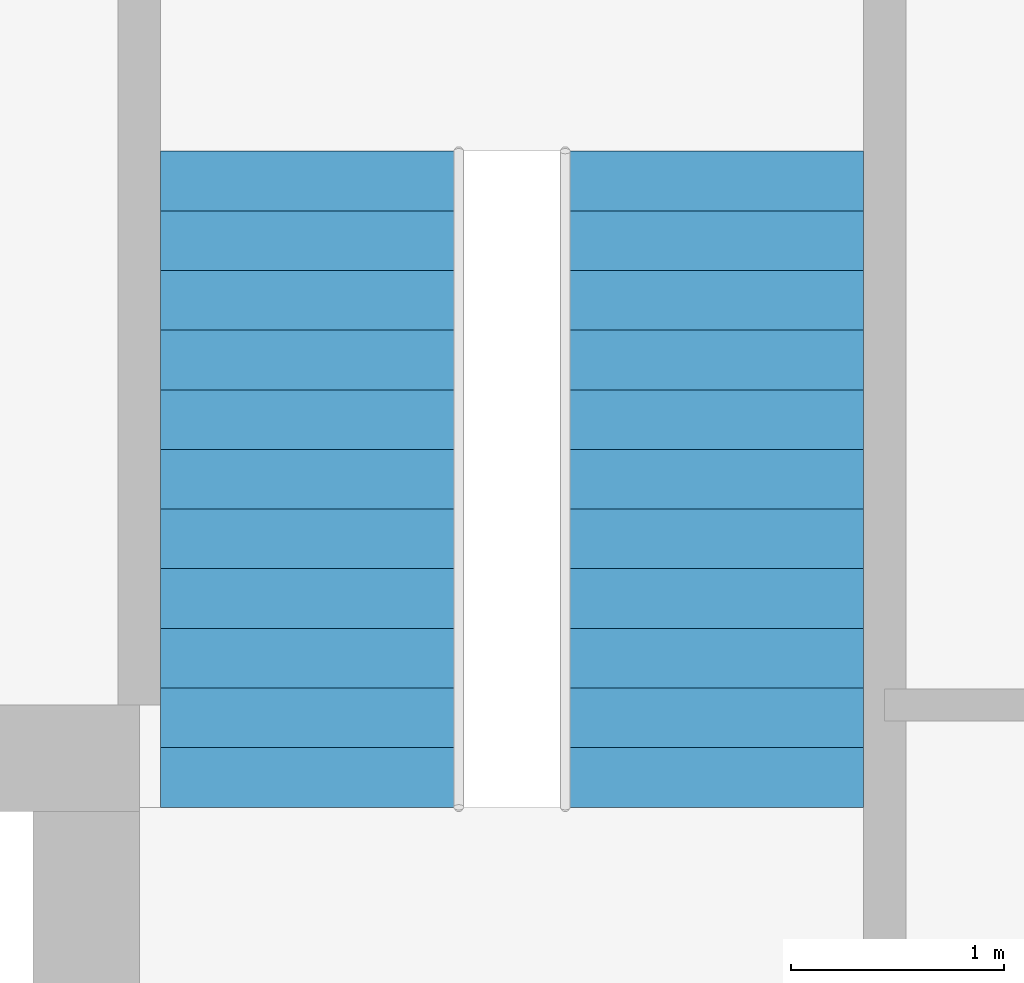
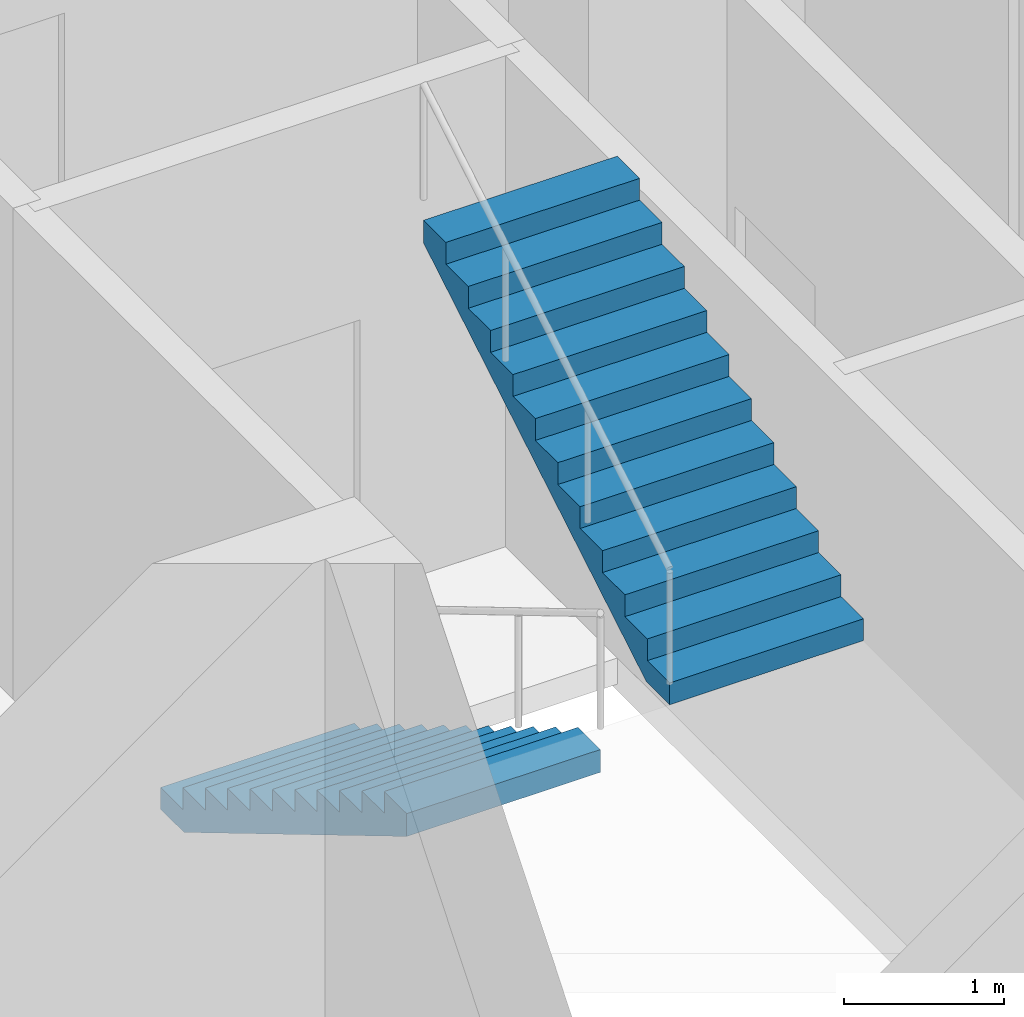
# One storey, part 13 of 18: 2 stair flights, 1 element without a shape of its own.
"""IFC4 building model written with IfcOpenShell, lengths in metres."""

from ifc_helpers import new_model, si_unit, direction, frame, origin, place, context, subcontext, project, spatial, polyline, outline, extrude, material, type_object, element, aggregate, save


model = new_model("IFC4")

# Units and contexts
model_context = context("Model", 3, precision=1e-05, world=origin(), true_north=direction((0.0, 1.0)))
body_context = subcontext(model_context, "Body", "Model", "MODEL_VIEW")
ifc_project = project(units=[si_unit("LENGTHUNIT", "METRE"), si_unit("AREAUNIT", "SQUARE_METRE"), si_unit("VOLUMEUNIT", "CUBIC_METRE"), si_unit("PLANEANGLEUNIT", "RADIAN"), si_unit("MASSUNIT", "GRAM", prefix="KILO")], contexts=[model_context])

# Site, building, storey
site_placement = place(None, origin())
site = spatial("IfcSite", under=ifc_project, at=site_placement, CompositionType="ELEMENT")
building_placement = place(site_placement, origin())
building = spatial("IfcBuilding", under=site, at=building_placement, Name="Malebo Sky Hospital", CompositionType="ELEMENT")
storey_placement = place(building_placement, frame((0.0, 0.0, 132.0)))
storey = spatial("IfcBuildingStorey", under=building, at=storey_placement, Name="L31", CompositionType="ELEMENT", Elevation=132.0)

# Stair, stair flights
ifc_material = material(Name="Concrete C40/50", Category="concrete")
stair_type = type_object("IfcStairType", Name="HALF-TURN STAIR 1400 R167", PredefinedType="HALF_TURN_STAIR", material=ifc_material)
stair_placement = place(storey_placement, origin())
stair = element("IfcStair", 1, at=stair_placement, inside=storey, type_object=stair_type, Name="Stair S3 L31 type ST1B", PredefinedType="HALF_TURN_STAIR")
stair_flight_type = type_object("IfcStairFlightType", Name="STAIR FLIGHT 1400 R167", PredefinedType="STRAIGHT", material=ifc_material)
stair_flight_1_placement = place(storey_placement, frame((69.800048828125, 73.60009765625, 0.0), z_axis=(0.0, 0.0, 1.0), x_axis=(0.0, -1.0, 0.0)))
stair_flight_1 = element("IfcStairFlight", 2, at=stair_flight_1_placement, type_object=stair_flight_type, Name="S3 flight 1 type SF1B", NumberOfRisers=12, NumberOfTreads=11, PredefinedType="STRAIGHT", RiserHeight=0.166666667, TreadLength=0.28, context=body_context, shape_type="SweptSolid", body=[
    extrude(outline(polyline([(0.0, 0.0), (0.0, 0.166748046875), (0.280029296875, 0.166748046875), (0.280029296875, 0.333251953125), (0.56005859375, 0.333251953125), (0.56005859375, 0.5), (0.840087890625, 0.5), (0.840087890625, 0.666748046875), (1.1201171875, 0.666748046875), (1.1201171875, 0.833251953125), (1.39990234375, 0.833251953125), (1.39990234375, 1.0), (1.679931640625, 1.0), (1.679931640625, 1.166748046875), (1.9599609375, 1.166748046875), (1.9599609375, 1.333251953125), (2.239990234375, 1.333251953125), (2.239990234375, 1.5), (2.52001953125, 1.5), (2.52001953125, 1.666748046875), (2.800048828125, 1.666748046875), (2.800048828125, 1.833251953125), (3.080078125, 1.833251953125), (3.080078125, 2.0), (3.080078125, 1.658935546875), (0.29296875, 0.0), (0.0, 0.0)])), frame((0.0, 0.699951171875, 0.0), z_axis=(0.0, -1.0, 0.0), x_axis=(1.0, 0.0, 0.0)), (0.0, 0.0, 1.0), 1.39990234375),
])
stair_flight_2_placement = place(storey_placement, frame((71.699951171875, 70.52001953125, 2.0), z_axis=(0.0, 0.0, 1.0), x_axis=(0.0, 1.0, 0.0)))
stair_flight_2 = element("IfcStairFlight", 3, at=stair_flight_2_placement, type_object=stair_flight_type, Name="S3 flight 2 type SF1B", NumberOfRisers=12, NumberOfTreads=11, PredefinedType="STRAIGHT", RiserHeight=0.166666667, TreadLength=0.28, context=body_context, shape_type="SweptSolid", body=[
    extrude(outline(polyline([(0.0, 0.0), (0.0, 0.166748046875), (0.280029296875, 0.166748046875), (0.280029296875, 0.333251953125), (0.56005859375, 0.333251953125), (0.56005859375, 0.5), (0.840087890625, 0.5), (0.840087890625, 0.666748046875), (1.1201171875, 0.666748046875), (1.1201171875, 0.833251953125), (1.39990234375, 0.833251953125), (1.39990234375, 1.0), (1.679931640625, 1.0), (1.679931640625, 1.166748046875), (1.9599609375, 1.166748046875), (1.9599609375, 1.333251953125), (2.239990234375, 1.333251953125), (2.239990234375, 1.5), (2.52001953125, 1.5), (2.52001953125, 1.666748046875), (2.800048828125, 1.666748046875), (2.800048828125, 1.833251953125), (3.080078125, 1.833251953125), (3.080078125, 2.0), (3.080078125, 1.658935546875), (0.29296875, 0.0), (0.0, 0.0)])), frame((0.0, 0.699951171875, 0.0), z_axis=(0.0, -1.0, 0.0), x_axis=(1.0, 0.0, 0.0)), (0.0, 0.0, 1.0), 1.39990234375),
])
aggregate(stair, [stair_flight_1, stair_flight_2])

save(model, "model.ifc")
